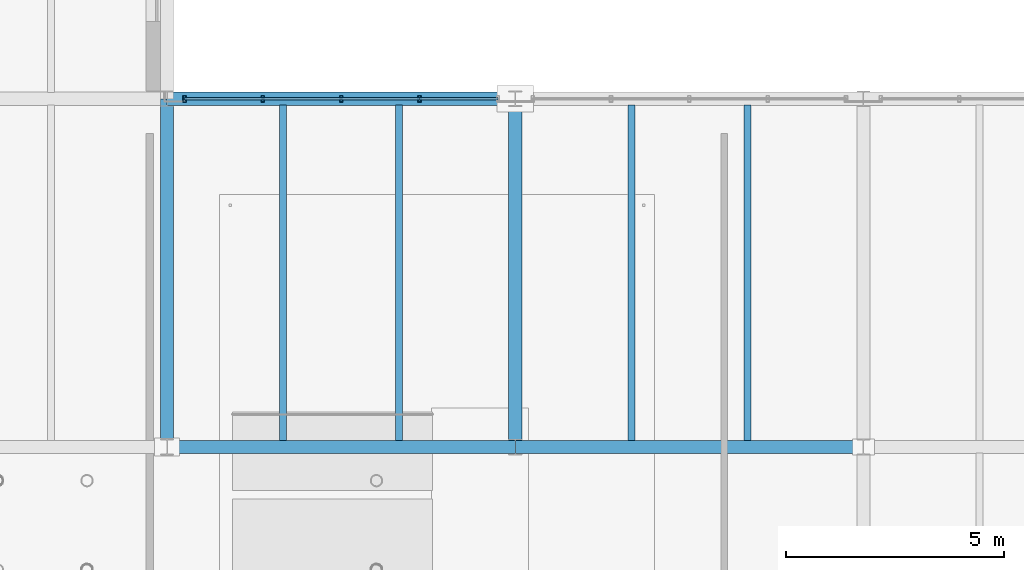
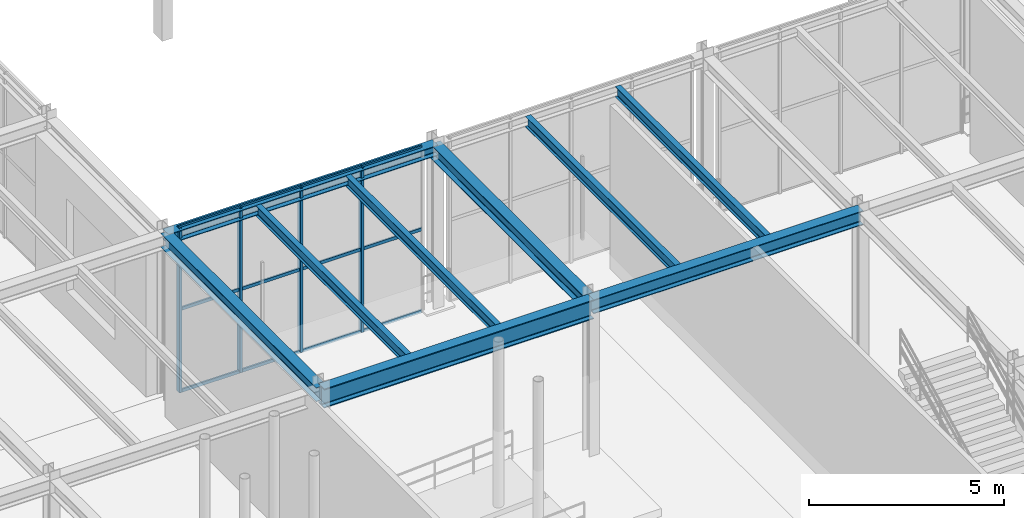
# One storey, part 35 of 129: 16 members, 9 beams, 1 element without a shape of its own.
"""IFC4 building model written with IfcOpenShell, lengths in metres."""

import ifcopenshell
import ifcopenshell.guid

model = None  # the IFC model being written
_history = None  # IfcOwnerHistory: only IFC2X3 demands one
_inside = {}  # id of a spatial element -> (the spatial element, [elements in it])
_under = {}  # id of a project, library or spatial element -> (it, [spatial elements below it])
_declared = {}  # id of a project -> (the project, [libraries it declares])
_typed = {}  # id of a type object -> (the type object, [elements of that type])
_made_of = {}  # id of a material, layer set ... -> (it, [elements and type objects made of it])


def new_model(schema):
    """Start an empty IFC model of exactly this schema.

    Asked for "IFC4X3", IfcOpenShell would pick the latest addendum, in which some entities
    have other attributes; the version numbers below select the first issue.
    IFC2X3 requires an IfcOwnerHistory on every rooted entity: one is made here for all.
    """
    global model, _history
    if schema == "IFC4X3":
        model = ifcopenshell.file(schema_version=(4, 3, 0, 0))
    else:
        model = ifcopenshell.file(schema=schema)
    _inside.clear()
    _under.clear()
    _declared.clear()
    _typed.clear()
    _made_of.clear()
    _history = None
    if model.schema == "IFC2X3":
        org = make("IfcOrganization", Name="unknown")
        user = make(
            "IfcPersonAndOrganization",
            ThePerson=make("IfcPerson", FamilyName="unknown"),
            TheOrganization=org,
        )
        app = make(
            "IfcApplication",
            ApplicationDeveloper=org,
            Version="unknown",
            ApplicationFullName="unknown",
            ApplicationIdentifier="unknown",
        )
        _history = make(
            "IfcOwnerHistory",
            OwningUser=user,
            OwningApplication=app,
            ChangeAction="ADDED",
            CreationDate=0,
        )
    return model


def make(cls, **values):
    """One entity of the class cls with the attributes given. An attribute that is None is left unset."""
    return model.create_entity(
        cls, **{name: value for name, value in values.items() if value is not None}
    )


def rooted(cls, **values):
    """An entity with a GlobalId (a new one), such as an element, a storey or a relation."""
    return make(cls, GlobalId=ifcopenshell.guid.new(), OwnerHistory=_history, **values)


def si_unit(unit_type, name, prefix=None):
    """IfcSIUnit, for example si_unit("LENGTHUNIT", "METRE", prefix="MILLI")."""
    return make("IfcSIUnit", UnitType=unit_type, Prefix=prefix, Name=name)


def assignment(units):
    """IfcUnitAssignment: the units of a project."""
    return None if units is None else make("IfcUnitAssignment", Units=units)


def point(xyz):
    """IfcCartesianPoint."""
    return None if xyz is None else make("IfcCartesianPoint", Coordinates=xyz)


def direction(xyz):
    """IfcDirection."""
    return None if xyz is None else make("IfcDirection", DirectionRatios=xyz)


def frame(location, z_axis=None, x_axis=None):
    """IfcAxis2Placement3D, a coordinate frame: its origin and axes. An axis left out is left unset."""
    return make(
        "IfcAxis2Placement3D",
        Location=point(location),
        Axis=direction(z_axis),
        RefDirection=direction(x_axis),
    )


def frame_2d(location, x_axis=None):
    """IfcAxis2Placement2D, a coordinate frame in the plane: its origin and x axis."""
    return make(
        "IfcAxis2Placement2D", Location=point(location), RefDirection=direction(x_axis)
    )


def origin():
    """The frame at (0, 0, 0) with its axes left unset."""
    return frame((0.0, 0.0, 0.0))


def origin_2d():
    """The frame at (0, 0) in the plane with its x axis left unset."""
    return frame_2d((0.0, 0.0))


def place(relative_to, where):
    """IfcLocalPlacement: puts the frame where relative to a parent placement (None: the world)."""
    return make(
        "IfcLocalPlacement", PlacementRelTo=relative_to, RelativePlacement=where
    )


def context(
    kind, dimensions, precision=None, world=None, true_north=None, identifier=None
):
    """IfcGeometricRepresentationContext, for example the 3D "Model" context."""
    return make(
        "IfcGeometricRepresentationContext",
        ContextIdentifier=identifier,
        ContextType=kind,
        CoordinateSpaceDimension=dimensions,
        Precision=precision,
        WorldCoordinateSystem=world,
        TrueNorth=true_north,
    )


def subcontext(parent, identifier, kind, view, scale=None):
    """IfcGeometricRepresentationSubContext, for example "Body" below "Model"."""
    return make(
        "IfcGeometricRepresentationSubContext",
        ContextIdentifier=identifier,
        ContextType=kind,
        ParentContext=parent,
        TargetScale=scale,
        TargetView=view,
    )


def project(units=None, contexts=None):
    """IfcProject with its units and contexts."""
    return rooted(
        "IfcProject",
        Name="project",
        RepresentationContexts=contexts,
        UnitsInContext=assignment(units),
    )


def spatial(cls, under=None, at=None, **own):
    """A site, building, storey or space (cls), placed at a placement, below another one or the project."""
    s = rooted(cls, ObjectPlacement=at, **own)
    if under is not None:
        _under.setdefault(under.id(), (under, []))[1].append(s)
    return s


def profile(cls, at=None, kind="AREA", **sizes):
    """A parametric profile (cls). Its sizes go by their IFC names, for example OverallWidth=200.0."""
    return make(cls, ProfileType=kind, Position=at, **sizes)


def hollow_rectangle(**sizes):
    """IfcRectangleHollowProfileDef."""
    return profile("IfcRectangleHollowProfileDef", **sizes)


def i_section(**sizes):
    """IfcIShapeProfileDef."""
    return profile("IfcIShapeProfileDef", **sizes)


def extrude(swept, where, along, depth):
    """IfcExtrudedAreaSolid: the profile swept, set in the frame where, extruded along a direction by depth."""
    return make(
        "IfcExtrudedAreaSolid",
        SweptArea=swept,
        Position=where,
        ExtrudedDirection=direction(along),
        Depth=depth,
    )


def shape(context_of_items, identifier, shape_type, items):
    """IfcShapeRepresentation: the items that make up one representation, for example the "Body"."""
    return make(
        "IfcShapeRepresentation",
        ContextOfItems=context_of_items,
        RepresentationIdentifier=identifier,
        RepresentationType=shape_type,
        Items=items,
    )


def material(Name=None, Category=None):
    """IfcMaterial."""
    return make("IfcMaterial", Name=Name, Category=Category)


def material_profile(
    of_material, cross_section, Name=None, Category=None, Priority=None
):
    """IfcMaterialProfile: a cross section and its material."""
    return make(
        "IfcMaterialProfile",
        Name=Name,
        Material=of_material,
        Profile=cross_section,
        Priority=Priority,
        Category=Category,
    )


def profile_set(profiles, Name=None, composite=None):
    """IfcMaterialProfileSet."""
    return make(
        "IfcMaterialProfileSet",
        Name=Name,
        MaterialProfiles=profiles,
        CompositeProfile=composite,
    )


def made_of(thing, what):
    """Note that an element or type object is made of a material, layer set ...; save() writes the relation."""
    if what is not None:
        _made_of.setdefault(what.id(), (what, []))[1].append(thing)
    return thing


def type_object(cls, material=None, **own):
    """A type object (cls), such as IfcWallType, which elements share."""
    return made_of(rooted(cls, **own), material)


def element(
    cls,
    number,
    at=None,
    inside=None,
    cuts=None,
    type_object=None,
    material=None,
    context=None,
    identifier="Body",
    shape_type=None,
    held_by="IfcProductDefinitionShape",
    body=None,
    shapes=None,
    **own,
):
    """One element of the class cls, such as IfcWall. Its Tag is "e" and its number.

    at: its placement. inside: the storey or other place that contains it. cuts: it is an
    opening in that element (IfcRelVoidsElement). A single representation is given by context,
    identifier, shape_type and body (its items); several are given by shapes. held_by: the class
    of the entity that holds the representations. save() writes the other relations.
    """
    e = rooted(cls, Tag="e%d" % number, ObjectPlacement=at, **own)
    if body is not None:
        shapes = [shape(context, identifier, shape_type, body)]
    if shapes is not None:
        e.Representation = make(held_by, Representations=shapes)
    if inside is not None:
        _inside.setdefault(inside.id(), (inside, []))[1].append(e)
    if cuts is not None:
        rooted(
            "IfcRelVoidsElement", RelatingBuildingElement=cuts, RelatedOpeningElement=e
        )
    if type_object is not None:
        _typed.setdefault(type_object.id(), (type_object, []))[1].append(e)
    return made_of(e, material)


def aggregate(whole, parts):
    """IfcRelAggregates: a whole, such as a stair, and the parts it consists of."""
    return rooted("IfcRelAggregates", RelatingObject=whole, RelatedObjects=parts)


def save(model, path):
    """Write the relations noted so far, then the file.

    IfcRelAggregates (storeys below a building ...), IfcRelContainedInSpatialStructure (elements
    in a storey), IfcRelDefinesByType, IfcRelAssociatesMaterial and IfcRelDeclares: one each for
    every whole, place, type object, material and project.
    """
    for whole, parts in _under.values():
        aggregate(whole, parts)
    for where, things in _inside.values():
        rooted(
            "IfcRelContainedInSpatialStructure",
            RelatedElements=things,
            RelatingStructure=where,
        )
    for kind, things in _typed.values():
        rooted("IfcRelDefinesByType", RelatedObjects=things, RelatingType=kind)
    for what, things in _made_of.values():
        rooted("IfcRelAssociatesMaterial", RelatedObjects=things, RelatingMaterial=what)
    for by, libraries in _declared.values():
        rooted("IfcRelDeclares", RelatingContext=by, RelatedDefinitions=libraries)
    model.write(path)


model = new_model("IFC4")

# Units and contexts
model_context = context("Model", 3, precision=1e-05, world=origin(), true_north=direction((0.0, 1.0)))
body_context = subcontext(model_context, "Body", "Model", "MODEL_VIEW")
ifc_project = project(units=[si_unit("LENGTHUNIT", "METRE"), si_unit("AREAUNIT", "SQUARE_METRE"), si_unit("VOLUMEUNIT", "CUBIC_METRE"), si_unit("PLANEANGLEUNIT", "RADIAN"), si_unit("MASSUNIT", "GRAM", prefix="KILO")], contexts=[model_context])

# Site, building, storey
site_placement = place(None, origin())
site = spatial("IfcSite", under=ifc_project, at=site_placement, CompositionType="ELEMENT")
building_placement = place(site_placement, origin())
building = spatial("IfcBuilding", under=site, at=building_placement, Name="Sundkrona Museum", CompositionType="ELEMENT")
storey_placement = place(building_placement, origin())
storey = spatial("IfcBuildingStorey", under=building, at=storey_placement, Name="L00", CompositionType="ELEMENT", Elevation=0.0)

# Beams
ifc_material_1 = material(Name="Steel S355J2", Category="steel")
ifc_material_profile_1 = material_profile(ifc_material_1, i_section(OverallWidth=0.300048828125, OverallDepth=0.43994140625, WebThickness=0.011474609375, FlangeThickness=0.02099609375, FilletRadius=0.027099609375, at=origin_2d()), Name="HEA 450")
ifc_profile_set_1 = profile_set([ifc_material_profile_1], Name="Steel S355J2")
beam_type_1 = type_object("IfcBeamType", Name="B-HEA450", PredefinedType="BEAM", material=ifc_profile_set_1)
for number, where, z_axis, x_axis, name in (
    (1, (104.0, 32.0, 4.919921875), (1.0, 0.0, 0.0), (0.0, 1.0, 0.0), "L00 Girder X-0460"),
    (2, (96.0, 32.0, 4.919921875), (0.0, 1.0, 0.0), (-1.0, 0.0, 0.0), "L00 Girder Y-0700"),
    (3, (104.0, 32.0, 4.919921875), (0.0, 1.0, 0.0), (-1.0, 0.0, 0.0), "L00 Girder Y-0710"),
):
    element("IfcBeam", number, at=place(storey_placement, frame(where, z_axis=z_axis, x_axis=x_axis)), inside=storey, type_object=beam_type_1, Name=name, PredefinedType="BEAM", context=body_context, shape_type="SweptSolid", body=[
        extrude(i_section(OverallWidth=0.300048828125, OverallDepth=0.43994140625, WebThickness=0.011474609375, FlangeThickness=0.02099609375, FilletRadius=0.027099609375, at=origin_2d()), origin(), (0.0, 0.0, 1.0), 8.0),
    ])
ifc_material_profile_2 = material_profile(ifc_material_1, i_section(OverallWidth=0.300048828125, OverallDepth=0.60009765625, WebThickness=0.015380859375, FlangeThickness=0.030029296875, FilletRadius=0.027099609375, at=origin_2d()), Name="HEB 600")
ifc_profile_set_2 = profile_set([ifc_material_profile_2], Name="Steel S355J2")
beam_type_2 = type_object("IfcBeamType", Name="B-HEB600", PredefinedType="BEAM", material=ifc_profile_set_2)
beam_1_placement = place(storey_placement, frame((96.0, 32.0, 4.840087890625), z_axis=(1.0, 0.0, 0.0), x_axis=(0.0, 1.0, 0.0)))
element("IfcBeam", 4, at=beam_1_placement, inside=storey, type_object=beam_type_2, Name="L00 Girder X-0459", PredefinedType="BEAM", context=body_context, shape_type="SweptSolid", body=[
    extrude(i_section(OverallWidth=0.300048828125, OverallDepth=0.60009765625, WebThickness=0.015380859375, FlangeThickness=0.030029296875, FilletRadius=0.027099609375, at=origin_2d()), origin(), (0.0, 0.0, 1.0), 8.0),
])
ifc_material_profile_3 = material_profile(ifc_material_1, i_section(OverallWidth=0.159912109375, OverallDepth=0.330078125, WebThickness=0.007568359375, FlangeThickness=0.011474609375, FilletRadius=0.01806640625, at=origin_2d()), Name="IPE 330")
ifc_profile_set_3 = profile_set([ifc_material_profile_3], Name="Steel S355J2")
beam_type_3 = type_object("IfcBeamType", Name="J-IPE330", PredefinedType="JOIST", material=ifc_profile_set_3)
for number, where, z_axis, x_axis, name in (
    (5, (98.666748046875, 32.14404296875, 4.97509765625), (0.0, 1.0, 0.0), (-1.0, 0.0, 0.0), "L00 Composite Joist 0433"),
    (6, (101.333251953125, 32.14404296875, 4.97509765625), (0.0, 1.0, 0.0), (-1.0, 0.0, 0.0), "L00 Composite Joist 0434"),
    (7, (106.666748046875, 32.14404296875, 4.97509765625), (0.0, 1.0, 0.0), (-1.0, 0.0, 0.0), "L00 Composite Joist 0437"),
    (8, (109.333251953125, 32.14404296875, 4.97509765625), (0.0, 1.0, 0.0), (-1.0, 0.0, 0.0), "L00 Composite Joist 0438"),
):
    element("IfcBeam", number, at=place(storey_placement, frame(where, z_axis=z_axis, x_axis=x_axis)), inside=storey, type_object=beam_type_3, Name=name, PredefinedType="JOIST", context=body_context, shape_type="SweptSolid", body=[
        extrude(i_section(OverallWidth=0.159912109375, OverallDepth=0.330078125, WebThickness=0.007568359375, FlangeThickness=0.011474609375, FilletRadius=0.01806640625, at=origin_2d()), origin(), (0.0, 0.0, 1.0), 7.7119140625),
    ])

# Curtain wall, members
ifc_material_2 = material(Name="Unitised Aluminium-Steel and Ceramic-Clad Curtain Walling", Category="steel")
curtain_wall_type = type_object("IfcCurtainWallType", Name="CW-AT-72x50", PredefinedType="NOTDEFINED", material=ifc_material_2)
curtain_wall_placement = place(storey_placement, origin())
curtain_wall = element("IfcCurtainWall", 9, at=curtain_wall_placement, inside=storey, type_object=curtain_wall_type, Name="L00 Curtain Wall CW-L00-025", PredefinedType="NOTDEFINED")
ifc_material_3 = material(Name="Aluminium EN AW-6060 T66", Category="aluminium")
ifc_material_profile_4 = material_profile(ifc_material_3, hollow_rectangle(XDim=0.074951171875, YDim=0.14990234375, WallThickness=0.00634765625, at=origin_2d()), Name="RHS 150x75x6.3")
ifc_profile_set_4 = profile_set([ifc_material_profile_4], Name="Aluminium EN AW-6060 T66")
member_type_1 = type_object("IfcMemberType", Name="ML-150", PredefinedType="MULLION", material=ifc_profile_set_4)
member_1_placement = place(storey_placement, frame((96.39990234375, 40.0, -0.00390625), z_axis=(0.0, 0.0, 1.0), x_axis=(1.0, 0.0, 0.0)))
member_1 = element("IfcMember", 10, at=member_1_placement, type_object=member_type_1, Name="CW-L00-025 Mullion 01", PredefinedType="MULLION", context=body_context, shape_type="SweptSolid", body=[
    extrude(hollow_rectangle(XDim=0.074951171875, YDim=0.14990234375, WallThickness=0.00634765625, at=origin_2d()), origin(), (0.0, 0.0, 1.0), 5.14794921875),
])
member_2_placement = place(storey_placement, frame((98.199951171875, 40.0, -0.00390625), z_axis=(0.0, 0.0, 1.0), x_axis=(1.0, 0.0, 0.0)))
member_2 = element("IfcMember", 11, at=member_2_placement, type_object=member_type_1, Name="CW-L00-025 Mullion 02", PredefinedType="MULLION", context=body_context, shape_type="SweptSolid", body=[
    extrude(hollow_rectangle(XDim=0.074951171875, YDim=0.14990234375, WallThickness=0.00634765625, at=origin_2d()), origin(), (0.0, 0.0, 1.0), 5.14794921875),
])
member_3_placement = place(storey_placement, frame((100.0, 40.0, -0.00390625), z_axis=(0.0, 0.0, 1.0), x_axis=(1.0, 0.0, 0.0)))
member_3 = element("IfcMember", 12, at=member_3_placement, type_object=member_type_1, Name="CW-L00-025 Mullion 03", PredefinedType="MULLION", context=body_context, shape_type="SweptSolid", body=[
    extrude(hollow_rectangle(XDim=0.074951171875, YDim=0.14990234375, WallThickness=0.00634765625, at=origin_2d()), origin(), (0.0, 0.0, 1.0), 5.14794921875),
])
member_4_placement = place(storey_placement, frame((101.800048828125, 40.0, -0.00390625), z_axis=(0.0, 0.0, 1.0), x_axis=(1.0, 0.0, 0.0)))
member_4 = element("IfcMember", 13, at=member_4_placement, type_object=member_type_1, Name="CW-L00-025 Mullion 04", PredefinedType="MULLION", context=body_context, shape_type="SweptSolid", body=[
    extrude(hollow_rectangle(XDim=0.074951171875, YDim=0.14990234375, WallThickness=0.00634765625, at=origin_2d()), origin(), (0.0, 0.0, 1.0), 5.14794921875),
])

# Beam
ifc_material_profile_5 = material_profile(ifc_material_1, i_section(OverallWidth=0.300048828125, OverallDepth=0.320068359375, WebThickness=0.011474609375, FlangeThickness=0.0205078125, FilletRadius=0.027099609375, at=origin_2d()), Name="HEB 320")
ifc_profile_set_5 = profile_set([ifc_material_profile_5], Name="Steel S355J2")
beam_type_4 = type_object("IfcBeamType", Name="SP-HEB320", PredefinedType="SPANDREL", material=ifc_profile_set_5)
beam_2_placement = place(storey_placement, frame((96.0, 40.0, 4.97998046875), z_axis=(1.0, 0.0, 0.0), x_axis=(0.0, 1.0, 0.0)))
element("IfcBeam", 14, at=beam_2_placement, inside=storey, type_object=beam_type_4, Name="L00 Girder X-0472", PredefinedType="SPANDREL", context=body_context, shape_type="SweptSolid", body=[
    extrude(i_section(OverallWidth=0.300048828125, OverallDepth=0.320068359375, WebThickness=0.011474609375, FlangeThickness=0.0205078125, FilletRadius=0.027099609375, at=origin_2d()), origin(), (0.0, 0.0, 1.0), 8.0),
])

# Member
ifc_material_profile_6 = material_profile(ifc_material_3, hollow_rectangle(XDim=0.050048828125, YDim=0.10009765625, WallThickness=0.0048828125, at=origin_2d()), Name="RHS 100x50x5.0")
ifc_profile_set_6 = profile_set([ifc_material_profile_6], Name="Aluminium EN AW-6060 T66")
member_type_2 = type_object("IfcMemberType", Name="TR-100", PredefinedType="USERDEFINED", material=ifc_profile_set_6)
member_5_placement = place(storey_placement, frame((96.39990234375, 40.0, -0.00390625), z_axis=(1.0, 0.0, 0.0), x_axis=(0.0, 1.0, 0.0)))
member_5 = element("IfcMember", 15, at=member_5_placement, type_object=member_type_2, Name="CW-L00-025 Transom 01", ObjectType="TRANSOM", PredefinedType="USERDEFINED", context=body_context, shape_type="SweptSolid", body=[
    extrude(hollow_rectangle(XDim=0.050048828125, YDim=0.10009765625, WallThickness=0.0048828125, at=origin_2d()), origin(), (0.0, 0.0, 1.0), 1.800048828125),
])

member_6_placement = place(storey_placement, frame((96.39990234375, 40.0, 2.570068359375), z_axis=(1.0, 0.0, 0.0), x_axis=(0.0, 1.0, 0.0)))
member_6 = element("IfcMember", 16, at=member_6_placement, type_object=member_type_2, Name="CW-L00-025 Transom 02", ObjectType="TRANSOM", PredefinedType="USERDEFINED", context=body_context, shape_type="SweptSolid", body=[
    extrude(hollow_rectangle(XDim=0.050048828125, YDim=0.10009765625, WallThickness=0.0048828125, at=origin_2d()), origin(), (0.0, 0.0, 1.0), 1.800048828125),
])

member_7_placement = place(storey_placement, frame((96.39990234375, 40.0, 5.14404296875), z_axis=(1.0, 0.0, 0.0), x_axis=(0.0, 1.0, 0.0)))
member_7 = element("IfcMember", 17, at=member_7_placement, type_object=member_type_2, Name="CW-L00-025 Transom 03", ObjectType="TRANSOM", PredefinedType="USERDEFINED", context=body_context, shape_type="SweptSolid", body=[
    extrude(hollow_rectangle(XDim=0.050048828125, YDim=0.10009765625, WallThickness=0.0048828125, at=origin_2d()), origin(), (0.0, 0.0, 1.0), 1.800048828125),
])

member_8_placement = place(storey_placement, frame((98.199951171875, 40.0, -0.00390625), z_axis=(1.0, 0.0, 0.0), x_axis=(0.0, 1.0, 0.0)))
member_8 = element("IfcMember", 18, at=member_8_placement, type_object=member_type_2, Name="CW-L00-025 Transom 04", ObjectType="TRANSOM", PredefinedType="USERDEFINED", context=body_context, shape_type="SweptSolid", body=[
    extrude(hollow_rectangle(XDim=0.050048828125, YDim=0.10009765625, WallThickness=0.0048828125, at=origin_2d()), origin(), (0.0, 0.0, 1.0), 1.800048828125),
])

member_9_placement = place(storey_placement, frame((98.199951171875, 40.0, 2.570068359375), z_axis=(1.0, 0.0, 0.0), x_axis=(0.0, 1.0, 0.0)))
member_9 = element("IfcMember", 19, at=member_9_placement, type_object=member_type_2, Name="CW-L00-025 Transom 05", ObjectType="TRANSOM", PredefinedType="USERDEFINED", context=body_context, shape_type="SweptSolid", body=[
    extrude(hollow_rectangle(XDim=0.050048828125, YDim=0.10009765625, WallThickness=0.0048828125, at=origin_2d()), origin(), (0.0, 0.0, 1.0), 1.800048828125),
])

member_10_placement = place(storey_placement, frame((98.199951171875, 40.0, 5.14404296875), z_axis=(1.0, 0.0, 0.0), x_axis=(0.0, 1.0, 0.0)))
member_10 = element("IfcMember", 20, at=member_10_placement, type_object=member_type_2, Name="CW-L00-025 Transom 06", ObjectType="TRANSOM", PredefinedType="USERDEFINED", context=body_context, shape_type="SweptSolid", body=[
    extrude(hollow_rectangle(XDim=0.050048828125, YDim=0.10009765625, WallThickness=0.0048828125, at=origin_2d()), origin(), (0.0, 0.0, 1.0), 1.800048828125),
])

member_11_placement = place(storey_placement, frame((100.0, 40.0, -0.00390625), z_axis=(1.0, 0.0, 0.0), x_axis=(0.0, 1.0, 0.0)))
member_11 = element("IfcMember", 21, at=member_11_placement, type_object=member_type_2, Name="CW-L00-025 Transom 07", ObjectType="TRANSOM", PredefinedType="USERDEFINED", context=body_context, shape_type="SweptSolid", body=[
    extrude(hollow_rectangle(XDim=0.050048828125, YDim=0.10009765625, WallThickness=0.0048828125, at=origin_2d()), origin(), (0.0, 0.0, 1.0), 1.800048828125),
])

member_12_placement = place(storey_placement, frame((100.0, 40.0, 2.570068359375), z_axis=(1.0, 0.0, 0.0), x_axis=(0.0, 1.0, 0.0)))
member_12 = element("IfcMember", 22, at=member_12_placement, type_object=member_type_2, Name="CW-L00-025 Transom 08", ObjectType="TRANSOM", PredefinedType="USERDEFINED", context=body_context, shape_type="SweptSolid", body=[
    extrude(hollow_rectangle(XDim=0.050048828125, YDim=0.10009765625, WallThickness=0.0048828125, at=origin_2d()), origin(), (0.0, 0.0, 1.0), 1.800048828125),
])

member_13_placement = place(storey_placement, frame((100.0, 40.0, 5.14404296875), z_axis=(1.0, 0.0, 0.0), x_axis=(0.0, 1.0, 0.0)))
member_13 = element("IfcMember", 23, at=member_13_placement, type_object=member_type_2, Name="CW-L00-025 Transom 09", ObjectType="TRANSOM", PredefinedType="USERDEFINED", context=body_context, shape_type="SweptSolid", body=[
    extrude(hollow_rectangle(XDim=0.050048828125, YDim=0.10009765625, WallThickness=0.0048828125, at=origin_2d()), origin(), (0.0, 0.0, 1.0), 1.800048828125),
])

member_14_placement = place(storey_placement, frame((101.800048828125, 40.0, -0.00390625), z_axis=(1.0, 0.0, 0.0), x_axis=(0.0, 1.0, 0.0)))
member_14 = element("IfcMember", 24, at=member_14_placement, type_object=member_type_2, Name="CW-L00-025 Transom 10", ObjectType="TRANSOM", PredefinedType="USERDEFINED", context=body_context, shape_type="SweptSolid", body=[
    extrude(hollow_rectangle(XDim=0.050048828125, YDim=0.10009765625, WallThickness=0.0048828125, at=origin_2d()), origin(), (0.0, 0.0, 1.0), 1.800048828125),
])

member_15_placement = place(storey_placement, frame((101.800048828125, 40.0, 2.570068359375), z_axis=(1.0, 0.0, 0.0), x_axis=(0.0, 1.0, 0.0)))
member_15 = element("IfcMember", 25, at=member_15_placement, type_object=member_type_2, Name="CW-L00-025 Transom 11", ObjectType="TRANSOM", PredefinedType="USERDEFINED", context=body_context, shape_type="SweptSolid", body=[
    extrude(hollow_rectangle(XDim=0.050048828125, YDim=0.10009765625, WallThickness=0.0048828125, at=origin_2d()), origin(), (0.0, 0.0, 1.0), 1.800048828125),
])

member_16_placement = place(storey_placement, frame((101.800048828125, 40.0, 5.14404296875), z_axis=(1.0, 0.0, 0.0), x_axis=(0.0, 1.0, 0.0)))
member_16 = element("IfcMember", 26, at=member_16_placement, type_object=member_type_2, Name="CW-L00-025 Transom 12", ObjectType="TRANSOM", PredefinedType="USERDEFINED", context=body_context, shape_type="SweptSolid", body=[
    extrude(hollow_rectangle(XDim=0.050048828125, YDim=0.10009765625, WallThickness=0.0048828125, at=origin_2d()), origin(), (0.0, 0.0, 1.0), 1.800048828125),
])

aggregate(curtain_wall, [member_1, member_2, member_3, member_4, member_5, member_6, member_7, member_8, member_9, member_10, member_11, member_12, member_13, member_14, member_15, member_16])

save(model, "model.ifc")
